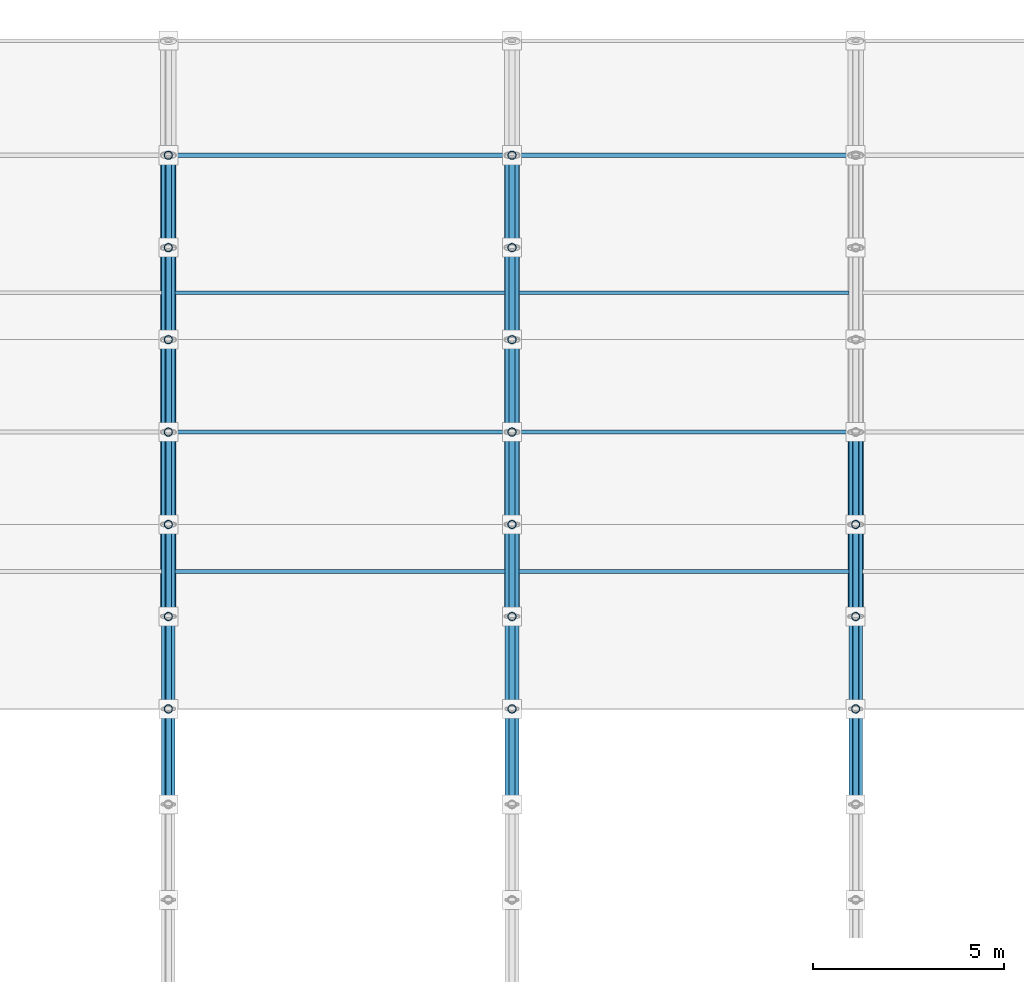
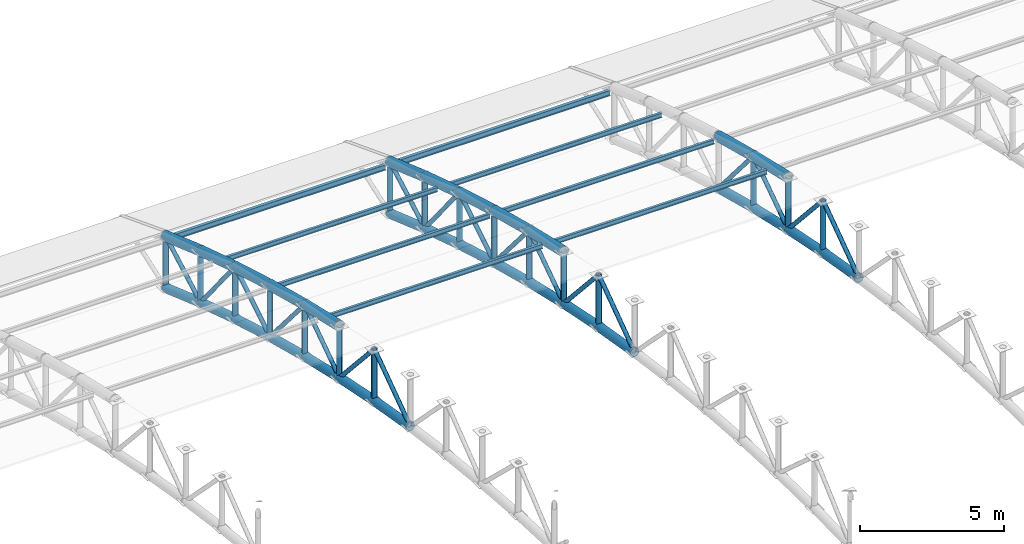
# One storey, part 82 of 195: 73 members.
"""IFC4 building model written with IfcOpenShell, lengths in metres."""

from ifc_helpers import new_model, si_unit, direction, frame, origin, origin_2d, place, context, subcontext, project, spatial, hollow_circle, i_section, extrude, material, material_profile, profile_set, type_object, element, save


model = new_model("IFC4")

# Units and contexts
model_context = context("Model", 3, precision=1e-05, world=origin(), true_north=direction((0.0, 1.0)))
body_context = subcontext(model_context, "Body", "Model", "MODEL_VIEW")
ifc_project = project(units=[si_unit("LENGTHUNIT", "METRE"), si_unit("AREAUNIT", "SQUARE_METRE"), si_unit("VOLUMEUNIT", "CUBIC_METRE"), si_unit("PLANEANGLEUNIT", "RADIAN"), si_unit("MASSUNIT", "GRAM", prefix="KILO")], contexts=[model_context])

# Site, building, storey
site_placement = place(None, origin())
site = spatial("IfcSite", under=ifc_project, at=site_placement, CompositionType="ELEMENT")
building_placement = place(site_placement, origin())
building = spatial("IfcBuilding", under=site, at=building_placement, Name="Marlcrest Central Station", CompositionType="ELEMENT")
storey_placement = place(building_placement, frame((0.0, 0.0, 9.800048828125)))
storey = spatial("IfcBuildingStorey", under=building, at=storey_placement, Name="L02", CompositionType="ELEMENT", Elevation=9.800048828125)

# Members
ifc_material = material(Name="Steel S355", Category="steel")
ifc_material_profile_1 = material_profile(ifc_material, hollow_circle(Radius=0.203125, WallThickness=0.02001953125, at=origin_2d()), Name="CHS 406.4x20")
ifc_profile_set_1 = profile_set([ifc_material_profile_1], Name="Steel S355")
member_type_1 = type_object("IfcMemberType", Name="AC-01", PredefinedType="CHORD", material=ifc_profile_set_1)
member_1_placement = place(storey_placement, frame((162.0, 83.419921875, 5.116943359375), z_axis=(0.0, 0.974329612642, -0.225126200004), x_axis=(-1.0, 0.0, 0.0)))
element("IfcMember", 1, at=member_1_placement, inside=storey, type_object=member_type_1, Name="mem-AC-01-L02-01400", PredefinedType="CHORD", context=body_context, shape_type="SweptSolid", body=[
    extrude(hollow_circle(Radius=0.203125, WallThickness=0.02001953125, at=origin_2d()), origin(), (0.0, 0.0, 1.0), 2.4736328125),
])
member_2_placement = place(storey_placement, frame((162.0, 85.830078125, 4.56005859375), z_axis=(0.0, 0.967539481681, -0.252719906989), x_axis=(-1.0, 0.0, 0.0)))
element("IfcMember", 2, at=member_2_placement, inside=storey, type_object=member_type_1, Name="mem-AC-01-L02-01404", PredefinedType="CHORD", context=body_context, shape_type="SweptSolid", body=[
    extrude(hollow_circle(Radius=0.203125, WallThickness=0.02001953125, at=origin_2d()), origin(), (0.0, 0.0, 1.0), 2.501220703125),
])
member_3_placement = place(storey_placement, frame((162.0, 88.25, 3.927978515625), z_axis=(0.0, 0.960130083362, -0.27955361386), x_axis=(-1.0, 0.0, 0.0)))
element("IfcMember", 3, at=member_3_placement, inside=storey, type_object=member_type_1, Name="mem-AC-01-L02-01408", PredefinedType="CHORD", context=body_context, shape_type="SweptSolid", body=[
    extrude(hollow_circle(Radius=0.203125, WallThickness=0.02001953125, at=origin_2d()), origin(), (0.0, 0.0, 1.0), 2.5205078125),
])
member_4_placement = place(storey_placement, frame((162.0, 90.669921875, 3.223388671875), z_axis=(0.0, 0.952116828449, -0.305734435391), x_axis=(-1.0, 0.0, 0.0)))
element("IfcMember", 4, at=member_4_placement, inside=storey, type_object=member_type_1, Name="mem-AC-01-L02-01412", PredefinedType="CHORD", context=body_context, shape_type="SweptSolid", body=[
    extrude(hollow_circle(Radius=0.203125, WallThickness=0.02001953125, at=origin_2d()), origin(), (0.0, 0.0, 1.0), 2.53125),
])
member_5_placement = place(storey_placement, frame((162.0, 93.080078125, 2.449462890625), z_axis=(0.0, 0.94353735649, -0.331266142109), x_axis=(-1.0, 0.0, 0.0)))
element("IfcMember", 5, at=member_5_placement, inside=storey, type_object=member_type_1, Name="mem-AC-01-L02-01416", PredefinedType="CHORD", context=body_context, shape_type="SweptSolid", body=[
    extrude(hollow_circle(Radius=0.203125, WallThickness=0.02001953125, at=origin_2d()), origin(), (0.0, 0.0, 1.0), 2.564697265625),
])
member_6_placement = place(storey_placement, frame((171.0, 83.419921875, 5.116943359375), z_axis=(0.0, 0.974329612642, -0.225126200004), x_axis=(-1.0, 0.0, 0.0)))
element("IfcMember", 6, at=member_6_placement, inside=storey, type_object=member_type_1, Name="mem-AC-01-L02-01516", PredefinedType="CHORD", context=body_context, shape_type="SweptSolid", body=[
    extrude(hollow_circle(Radius=0.203125, WallThickness=0.02001953125, at=origin_2d()), origin(), (0.0, 0.0, 1.0), 2.4736328125),
])
member_7_placement = place(storey_placement, frame((171.0, 85.830078125, 4.56005859375), z_axis=(0.0, 0.967539481681, -0.252719906989), x_axis=(-1.0, 0.0, 0.0)))
element("IfcMember", 7, at=member_7_placement, inside=storey, type_object=member_type_1, Name="mem-AC-01-L02-01520", PredefinedType="CHORD", context=body_context, shape_type="SweptSolid", body=[
    extrude(hollow_circle(Radius=0.203125, WallThickness=0.02001953125, at=origin_2d()), origin(), (0.0, 0.0, 1.0), 2.501220703125),
])
member_8_placement = place(storey_placement, frame((171.0, 88.25, 3.927978515625), z_axis=(0.0, 0.960130083362, -0.27955361386), x_axis=(-1.0, 0.0, 0.0)))
element("IfcMember", 8, at=member_8_placement, inside=storey, type_object=member_type_1, Name="mem-AC-01-L02-01524", PredefinedType="CHORD", context=body_context, shape_type="SweptSolid", body=[
    extrude(hollow_circle(Radius=0.203125, WallThickness=0.02001953125, at=origin_2d()), origin(), (0.0, 0.0, 1.0), 2.5205078125),
])
member_9_placement = place(storey_placement, frame((171.0, 90.669921875, 3.223388671875), z_axis=(0.0, 0.952116828449, -0.305734435391), x_axis=(-1.0, 0.0, 0.0)))
element("IfcMember", 9, at=member_9_placement, inside=storey, type_object=member_type_1, Name="mem-AC-01-L02-01528", PredefinedType="CHORD", context=body_context, shape_type="SweptSolid", body=[
    extrude(hollow_circle(Radius=0.203125, WallThickness=0.02001953125, at=origin_2d()), origin(), (0.0, 0.0, 1.0), 2.53125),
])
member_10_placement = place(storey_placement, frame((171.0, 93.080078125, 2.449462890625), z_axis=(0.0, 0.94353735649, -0.331266142109), x_axis=(-1.0, 0.0, 0.0)))
element("IfcMember", 10, at=member_10_placement, inside=storey, type_object=member_type_1, Name="mem-AC-01-L02-01532", PredefinedType="CHORD", context=body_context, shape_type="SweptSolid", body=[
    extrude(hollow_circle(Radius=0.203125, WallThickness=0.02001953125, at=origin_2d()), origin(), (0.0, 0.0, 1.0), 2.564697265625),
])
member_11_placement = place(storey_placement, frame((180.0, 83.419921875, 5.116943359375), z_axis=(0.0, 0.974329612642, -0.225126200004), x_axis=(-1.0, 0.0, 0.0)))
element("IfcMember", 11, at=member_11_placement, inside=storey, type_object=member_type_1, Name="mem-AC-01-L02-01632", PredefinedType="CHORD", context=body_context, shape_type="SweptSolid", body=[
    extrude(hollow_circle(Radius=0.203125, WallThickness=0.02001953125, at=origin_2d()), origin(), (0.0, 0.0, 1.0), 2.4736328125),
])
member_12_placement = place(storey_placement, frame((180.0, 85.830078125, 4.56005859375), z_axis=(0.0, 0.967539481681, -0.252719906989), x_axis=(-1.0, 0.0, 0.0)))
element("IfcMember", 12, at=member_12_placement, inside=storey, type_object=member_type_1, Name="mem-AC-01-L02-01636", PredefinedType="CHORD", context=body_context, shape_type="SweptSolid", body=[
    extrude(hollow_circle(Radius=0.203125, WallThickness=0.02001953125, at=origin_2d()), origin(), (0.0, 0.0, 1.0), 2.501220703125),
])
ifc_material_profile_2 = material_profile(ifc_material, hollow_circle(Radius=0.177734375, WallThickness=0.01611328125, at=origin_2d()), Name="CHS 355.6x16")
ifc_profile_set_2 = profile_set([ifc_material_profile_2], Name="Steel S355")
member_type_2 = type_object("IfcMemberType", Name="AC-02", PredefinedType="CHORD", material=ifc_profile_set_2)
member_13_placement = place(storey_placement, frame((162.0, 78.5, 3.83056640625), z_axis=(0.0, 0.98574109921, -0.168269086076), x_axis=(-1.0, 0.0, 0.0)))
element("IfcMember", 13, at=member_13_placement, inside=storey, type_object=member_type_2, Name="mem-AC-02-L02-01393", PredefinedType="CHORD", context=body_context, shape_type="SweptSolid", body=[
    extrude(hollow_circle(Radius=0.177734375, WallThickness=0.01611328125, at=origin_2d()), origin(), (0.0, 0.0, 1.0), 2.5361328125),
])
member_14_placement = place(storey_placement, frame((162.0, 81.0, 3.40380859375), z_axis=(0.0, 0.980359417961, -0.197219196874), x_axis=(-1.0, 0.0, 0.0)))
element("IfcMember", 14, at=member_14_placement, inside=storey, type_object=member_type_2, Name="mem-AC-02-L02-01397", PredefinedType="CHORD", context=body_context, shape_type="SweptSolid", body=[
    extrude(hollow_circle(Radius=0.177734375, WallThickness=0.01611328125, at=origin_2d()), origin(), (0.0, 0.0, 1.0), 2.468505859375),
])
member_15_placement = place(storey_placement, frame((162.0, 83.419921875, 2.9169921875), z_axis=(0.0, 0.974307959875, -0.225219891049), x_axis=(-1.0, 0.0, 0.0)))
element("IfcMember", 15, at=member_15_placement, inside=storey, type_object=member_type_2, Name="mem-AC-02-L02-01401", PredefinedType="CHORD", context=body_context, shape_type="SweptSolid", body=[
    extrude(hollow_circle(Radius=0.177734375, WallThickness=0.01611328125, at=origin_2d()), origin(), (0.0, 0.0, 1.0), 2.4736328125),
])
member_16_placement = place(storey_placement, frame((162.0, 85.830078125, 2.35986328125), z_axis=(0.0, 0.967563345928, -0.252628524946), x_axis=(-1.0, 0.0, 0.0)))
element("IfcMember", 16, at=member_16_placement, inside=storey, type_object=member_type_2, Name="mem-AC-02-L02-01405", PredefinedType="CHORD", context=body_context, shape_type="SweptSolid", body=[
    extrude(hollow_circle(Radius=0.177734375, WallThickness=0.01611328125, at=origin_2d()), origin(), (0.0, 0.0, 1.0), 2.5009765625),
])
member_17_placement = place(storey_placement, frame((162.0, 88.25, 1.72802734375), z_axis=(0.0, 0.960130083362, -0.27955361386), x_axis=(-1.0, 0.0, 0.0)))
element("IfcMember", 17, at=member_17_placement, inside=storey, type_object=member_type_2, Name="mem-AC-02-L02-01409", PredefinedType="CHORD", context=body_context, shape_type="SweptSolid", body=[
    extrude(hollow_circle(Radius=0.177734375, WallThickness=0.01611328125, at=origin_2d()), origin(), (0.0, 0.0, 1.0), 2.5205078125),
])
member_18_placement = place(storey_placement, frame((162.0, 90.669921875, 1.0234375), z_axis=(0.0, 0.952116828449, -0.305734435391), x_axis=(-1.0, 0.0, 0.0)))
element("IfcMember", 18, at=member_18_placement, inside=storey, type_object=member_type_2, Name="mem-AC-02-L02-01413", PredefinedType="CHORD", context=body_context, shape_type="SweptSolid", body=[
    extrude(hollow_circle(Radius=0.177734375, WallThickness=0.01611328125, at=origin_2d()), origin(), (0.0, 0.0, 1.0), 2.53125),
])
member_19_placement = place(storey_placement, frame((162.0, 93.080078125, 0.24951171875), z_axis=(0.0, 0.94353735649, -0.331266142109), x_axis=(-1.0, 0.0, 0.0)))
element("IfcMember", 19, at=member_19_placement, inside=storey, type_object=member_type_2, Name="mem-AC-02-L02-01417", PredefinedType="CHORD", context=body_context, shape_type="SweptSolid", body=[
    extrude(hollow_circle(Radius=0.177734375, WallThickness=0.01611328125, at=origin_2d()), origin(), (0.0, 0.0, 1.0), 2.564697265625),
])
member_20_placement = place(storey_placement, frame((171.0, 78.5, 3.83056640625), z_axis=(0.0, 0.98574109921, -0.168269086076), x_axis=(-1.0, 0.0, 0.0)))
element("IfcMember", 20, at=member_20_placement, inside=storey, type_object=member_type_2, Name="mem-AC-02-L02-01509", PredefinedType="CHORD", context=body_context, shape_type="SweptSolid", body=[
    extrude(hollow_circle(Radius=0.177734375, WallThickness=0.01611328125, at=origin_2d()), origin(), (0.0, 0.0, 1.0), 2.5361328125),
])
member_21_placement = place(storey_placement, frame((171.0, 81.0, 3.40380859375), z_axis=(0.0, 0.980359417961, -0.197219196874), x_axis=(-1.0, 0.0, 0.0)))
element("IfcMember", 21, at=member_21_placement, inside=storey, type_object=member_type_2, Name="mem-AC-02-L02-01513", PredefinedType="CHORD", context=body_context, shape_type="SweptSolid", body=[
    extrude(hollow_circle(Radius=0.177734375, WallThickness=0.01611328125, at=origin_2d()), origin(), (0.0, 0.0, 1.0), 2.468505859375),
])
member_22_placement = place(storey_placement, frame((171.0, 83.419921875, 2.9169921875), z_axis=(0.0, 0.974307959875, -0.225219891049), x_axis=(-1.0, 0.0, 0.0)))
element("IfcMember", 22, at=member_22_placement, inside=storey, type_object=member_type_2, Name="mem-AC-02-L02-01517", PredefinedType="CHORD", context=body_context, shape_type="SweptSolid", body=[
    extrude(hollow_circle(Radius=0.177734375, WallThickness=0.01611328125, at=origin_2d()), origin(), (0.0, 0.0, 1.0), 2.4736328125),
])
member_23_placement = place(storey_placement, frame((171.0, 85.830078125, 2.35986328125), z_axis=(0.0, 0.967563345928, -0.252628524946), x_axis=(-1.0, 0.0, 0.0)))
element("IfcMember", 23, at=member_23_placement, inside=storey, type_object=member_type_2, Name="mem-AC-02-L02-01521", PredefinedType="CHORD", context=body_context, shape_type="SweptSolid", body=[
    extrude(hollow_circle(Radius=0.177734375, WallThickness=0.01611328125, at=origin_2d()), origin(), (0.0, 0.0, 1.0), 2.5009765625),
])
member_24_placement = place(storey_placement, frame((171.0, 88.25, 1.72802734375), z_axis=(0.0, 0.960130083362, -0.27955361386), x_axis=(-1.0, 0.0, 0.0)))
element("IfcMember", 24, at=member_24_placement, inside=storey, type_object=member_type_2, Name="mem-AC-02-L02-01525", PredefinedType="CHORD", context=body_context, shape_type="SweptSolid", body=[
    extrude(hollow_circle(Radius=0.177734375, WallThickness=0.01611328125, at=origin_2d()), origin(), (0.0, 0.0, 1.0), 2.5205078125),
])
member_25_placement = place(storey_placement, frame((171.0, 90.669921875, 1.0234375), z_axis=(0.0, 0.952116828449, -0.305734435391), x_axis=(-1.0, 0.0, 0.0)))
element("IfcMember", 25, at=member_25_placement, inside=storey, type_object=member_type_2, Name="mem-AC-02-L02-01529", PredefinedType="CHORD", context=body_context, shape_type="SweptSolid", body=[
    extrude(hollow_circle(Radius=0.177734375, WallThickness=0.01611328125, at=origin_2d()), origin(), (0.0, 0.0, 1.0), 2.53125),
])
member_26_placement = place(storey_placement, frame((171.0, 93.080078125, 0.24951171875), z_axis=(0.0, 0.94353735649, -0.331266142109), x_axis=(-1.0, 0.0, 0.0)))
element("IfcMember", 26, at=member_26_placement, inside=storey, type_object=member_type_2, Name="mem-AC-02-L02-01533", PredefinedType="CHORD", context=body_context, shape_type="SweptSolid", body=[
    extrude(hollow_circle(Radius=0.177734375, WallThickness=0.01611328125, at=origin_2d()), origin(), (0.0, 0.0, 1.0), 2.564697265625),
])
member_27_placement = place(storey_placement, frame((180.0, 78.5, 3.83056640625), z_axis=(0.0, 0.98574109921, -0.168269086076), x_axis=(-1.0, 0.0, 0.0)))
element("IfcMember", 27, at=member_27_placement, inside=storey, type_object=member_type_2, Name="mem-AC-02-L02-01625", PredefinedType="CHORD", context=body_context, shape_type="SweptSolid", body=[
    extrude(hollow_circle(Radius=0.177734375, WallThickness=0.01611328125, at=origin_2d()), origin(), (0.0, 0.0, 1.0), 2.5361328125),
])
member_28_placement = place(storey_placement, frame((180.0, 81.0, 3.40380859375), z_axis=(0.0, 0.980359417961, -0.197219196874), x_axis=(-1.0, 0.0, 0.0)))
element("IfcMember", 28, at=member_28_placement, inside=storey, type_object=member_type_2, Name="mem-AC-02-L02-01629", PredefinedType="CHORD", context=body_context, shape_type="SweptSolid", body=[
    extrude(hollow_circle(Radius=0.177734375, WallThickness=0.01611328125, at=origin_2d()), origin(), (0.0, 0.0, 1.0), 2.468505859375),
])
member_29_placement = place(storey_placement, frame((180.0, 83.419921875, 2.9169921875), z_axis=(0.0, 0.974307959875, -0.225219891049), x_axis=(-1.0, 0.0, 0.0)))
element("IfcMember", 29, at=member_29_placement, inside=storey, type_object=member_type_2, Name="mem-AC-02-L02-01633", PredefinedType="CHORD", context=body_context, shape_type="SweptSolid", body=[
    extrude(hollow_circle(Radius=0.177734375, WallThickness=0.01611328125, at=origin_2d()), origin(), (0.0, 0.0, 1.0), 2.4736328125),
])
member_30_placement = place(storey_placement, frame((180.0, 85.830078125, 2.35986328125), z_axis=(0.0, 0.967563345928, -0.252628524946), x_axis=(-1.0, 0.0, 0.0)))
element("IfcMember", 30, at=member_30_placement, inside=storey, type_object=member_type_2, Name="mem-AC-02-L02-01637", PredefinedType="CHORD", context=body_context, shape_type="SweptSolid", body=[
    extrude(hollow_circle(Radius=0.177734375, WallThickness=0.01611328125, at=origin_2d()), origin(), (0.0, 0.0, 1.0), 2.5009765625),
])
ifc_material_profile_3 = material_profile(ifc_material, hollow_circle(Radius=0.084228515625, WallThickness=0.010009765625, at=origin_2d()), Name="CHS 168.3x10")
ifc_profile_set_3 = profile_set([ifc_material_profile_3], Name="Steel S355")
member_type_3 = type_object("IfcMemberType", Name="AD-01", PredefinedType="BRACE", material=ifc_profile_set_3)
member_31_placement = place(storey_placement, frame((162.0, 78.5, 3.83056640625), z_axis=(0.0, 0.815661132754, 0.57852996164), x_axis=(-1.0, 0.0, 0.0)))
element("IfcMember", 31, at=member_31_placement, inside=storey, type_object=member_type_3, Name="mem-AD-01-L02-01395", PredefinedType="BRACE", context=body_context, shape_type="SweptSolid", body=[
    extrude(hollow_circle(Radius=0.084228515625, WallThickness=0.010009765625, at=origin_2d()), origin(), (0.0, 0.0, 1.0), 3.06494140625),
])
member_32_placement = place(storey_placement, frame((162.0, 81.0, 5.603759765625), z_axis=(0.0, 0.669244457479, -0.743042297675), x_axis=(-1.0, 0.0, 0.0)))
element("IfcMember", 32, at=member_32_placement, inside=storey, type_object=member_type_3, Name="mem-AD-01-L02-01399", PredefinedType="BRACE", context=body_context, shape_type="SweptSolid", body=[
    extrude(hollow_circle(Radius=0.084228515625, WallThickness=0.010009765625, at=origin_2d()), origin(), (0.0, 0.0, 1.0), 3.615966796875),
])
member_33_placement = place(storey_placement, frame((162.0, 83.419921875, 2.9169921875), z_axis=(0.0, 0.82626275624, 0.563284881432), x_axis=(-1.0, 0.0, 0.0)))
element("IfcMember", 33, at=member_33_placement, inside=storey, type_object=member_type_3, Name="mem-AD-01-L02-01403", PredefinedType="BRACE", context=body_context, shape_type="SweptSolid", body=[
    extrude(hollow_circle(Radius=0.084228515625, WallThickness=0.010009765625, at=origin_2d()), origin(), (0.0, 0.0, 1.0), 2.9169921875),
])
member_34_placement = place(storey_placement, frame((162.0, 85.830078125, 4.56005859375), z_axis=(0.0, 0.649624779144, -0.760254987699), x_axis=(-1.0, 0.0, 0.0)))
element("IfcMember", 34, at=member_34_placement, inside=storey, type_object=member_type_3, Name="mem-AD-01-L02-01407", PredefinedType="BRACE", context=body_context, shape_type="SweptSolid", body=[
    extrude(hollow_circle(Radius=0.084228515625, WallThickness=0.010009765625, at=origin_2d()), origin(), (0.0, 0.0, 1.0), 3.72509765625),
])
member_35_placement = place(storey_placement, frame((162.0, 88.25, 1.72802734375), z_axis=(0.0, 0.850687380038, 0.525671933286), x_axis=(-1.0, 0.0, 0.0)))
element("IfcMember", 35, at=member_35_placement, inside=storey, type_object=member_type_3, Name="mem-AD-01-L02-01411", PredefinedType="BRACE", context=body_context, shape_type="SweptSolid", body=[
    extrude(hollow_circle(Radius=0.084228515625, WallThickness=0.010009765625, at=origin_2d()), origin(), (0.0, 0.0, 1.0), 2.8447265625),
])
member_36_placement = place(storey_placement, frame((162.0, 90.669921875, 3.223388671875), z_axis=(0.0, 0.62962929743, -0.776895712318), x_axis=(-1.0, 0.0, 0.0)))
element("IfcMember", 36, at=member_36_placement, inside=storey, type_object=member_type_3, Name="mem-AD-01-L02-01415", PredefinedType="BRACE", context=body_context, shape_type="SweptSolid", body=[
    extrude(hollow_circle(Radius=0.084228515625, WallThickness=0.010009765625, at=origin_2d()), origin(), (0.0, 0.0, 1.0), 3.827880859375),
])
member_37_placement = place(storey_placement, frame((162.0, 93.080078125, 0.24951171875), z_axis=(0.0, 0.873245653167, 0.487280236851), x_axis=(-1.0, 0.0, 0.0)))
element("IfcMember", 37, at=member_37_placement, inside=storey, type_object=member_type_3, Name="mem-AD-01-L02-01419", PredefinedType="BRACE", context=body_context, shape_type="SweptSolid", body=[
    extrude(hollow_circle(Radius=0.084228515625, WallThickness=0.010009765625, at=origin_2d()), origin(), (0.0, 0.0, 1.0), 2.771240234375),
])
member_38_placement = place(storey_placement, frame((171.0, 78.5, 3.83056640625), z_axis=(0.0, 0.815661132754, 0.57852996164), x_axis=(-1.0, 0.0, 0.0)))
element("IfcMember", 38, at=member_38_placement, inside=storey, type_object=member_type_3, Name="mem-AD-01-L02-01511", PredefinedType="BRACE", context=body_context, shape_type="SweptSolid", body=[
    extrude(hollow_circle(Radius=0.084228515625, WallThickness=0.010009765625, at=origin_2d()), origin(), (0.0, 0.0, 1.0), 3.06494140625),
])
member_39_placement = place(storey_placement, frame((171.0, 81.0, 5.603759765625), z_axis=(0.0, 0.669244457479, -0.743042297675), x_axis=(-1.0, 0.0, 0.0)))
element("IfcMember", 39, at=member_39_placement, inside=storey, type_object=member_type_3, Name="mem-AD-01-L02-01515", PredefinedType="BRACE", context=body_context, shape_type="SweptSolid", body=[
    extrude(hollow_circle(Radius=0.084228515625, WallThickness=0.010009765625, at=origin_2d()), origin(), (0.0, 0.0, 1.0), 3.615966796875),
])
member_40_placement = place(storey_placement, frame((171.0, 83.419921875, 2.9169921875), z_axis=(0.0, 0.82626275624, 0.563284881432), x_axis=(-1.0, 0.0, 0.0)))
element("IfcMember", 40, at=member_40_placement, inside=storey, type_object=member_type_3, Name="mem-AD-01-L02-01519", PredefinedType="BRACE", context=body_context, shape_type="SweptSolid", body=[
    extrude(hollow_circle(Radius=0.084228515625, WallThickness=0.010009765625, at=origin_2d()), origin(), (0.0, 0.0, 1.0), 2.9169921875),
])
member_41_placement = place(storey_placement, frame((171.0, 85.830078125, 4.56005859375), z_axis=(0.0, 0.649624779144, -0.760254987699), x_axis=(-1.0, 0.0, 0.0)))
element("IfcMember", 41, at=member_41_placement, inside=storey, type_object=member_type_3, Name="mem-AD-01-L02-01523", PredefinedType="BRACE", context=body_context, shape_type="SweptSolid", body=[
    extrude(hollow_circle(Radius=0.084228515625, WallThickness=0.010009765625, at=origin_2d()), origin(), (0.0, 0.0, 1.0), 3.72509765625),
])
member_42_placement = place(storey_placement, frame((171.0, 88.25, 1.72802734375), z_axis=(0.0, 0.850687380038, 0.525671933286), x_axis=(-1.0, 0.0, 0.0)))
element("IfcMember", 42, at=member_42_placement, inside=storey, type_object=member_type_3, Name="mem-AD-01-L02-01527", PredefinedType="BRACE", context=body_context, shape_type="SweptSolid", body=[
    extrude(hollow_circle(Radius=0.084228515625, WallThickness=0.010009765625, at=origin_2d()), origin(), (0.0, 0.0, 1.0), 2.8447265625),
])
member_43_placement = place(storey_placement, frame((171.0, 90.669921875, 3.223388671875), z_axis=(0.0, 0.62962929743, -0.776895712318), x_axis=(-1.0, 0.0, 0.0)))
element("IfcMember", 43, at=member_43_placement, inside=storey, type_object=member_type_3, Name="mem-AD-01-L02-01531", PredefinedType="BRACE", context=body_context, shape_type="SweptSolid", body=[
    extrude(hollow_circle(Radius=0.084228515625, WallThickness=0.010009765625, at=origin_2d()), origin(), (0.0, 0.0, 1.0), 3.827880859375),
])
member_44_placement = place(storey_placement, frame((171.0, 93.080078125, 0.24951171875), z_axis=(0.0, 0.873245653167, 0.487280236851), x_axis=(-1.0, 0.0, 0.0)))
element("IfcMember", 44, at=member_44_placement, inside=storey, type_object=member_type_3, Name="mem-AD-01-L02-01535", PredefinedType="BRACE", context=body_context, shape_type="SweptSolid", body=[
    extrude(hollow_circle(Radius=0.084228515625, WallThickness=0.010009765625, at=origin_2d()), origin(), (0.0, 0.0, 1.0), 2.771240234375),
])
member_45_placement = place(storey_placement, frame((180.0, 78.5, 3.83056640625), z_axis=(0.0, 0.815661132754, 0.57852996164), x_axis=(-1.0, 0.0, 0.0)))
element("IfcMember", 45, at=member_45_placement, inside=storey, type_object=member_type_3, Name="mem-AD-01-L02-01627", PredefinedType="BRACE", context=body_context, shape_type="SweptSolid", body=[
    extrude(hollow_circle(Radius=0.084228515625, WallThickness=0.010009765625, at=origin_2d()), origin(), (0.0, 0.0, 1.0), 3.06494140625),
])
member_46_placement = place(storey_placement, frame((180.0, 81.0, 5.603759765625), z_axis=(0.0, 0.669244457479, -0.743042297675), x_axis=(-1.0, 0.0, 0.0)))
element("IfcMember", 46, at=member_46_placement, inside=storey, type_object=member_type_3, Name="mem-AD-01-L02-01631", PredefinedType="BRACE", context=body_context, shape_type="SweptSolid", body=[
    extrude(hollow_circle(Radius=0.084228515625, WallThickness=0.010009765625, at=origin_2d()), origin(), (0.0, 0.0, 1.0), 3.615966796875),
])
member_47_placement = place(storey_placement, frame((180.0, 83.419921875, 2.9169921875), z_axis=(0.0, 0.82626275624, 0.563284881432), x_axis=(-1.0, 0.0, 0.0)))
element("IfcMember", 47, at=member_47_placement, inside=storey, type_object=member_type_3, Name="mem-AD-01-L02-01635", PredefinedType="BRACE", context=body_context, shape_type="SweptSolid", body=[
    extrude(hollow_circle(Radius=0.084228515625, WallThickness=0.010009765625, at=origin_2d()), origin(), (0.0, 0.0, 1.0), 2.9169921875),
])
member_48_placement = place(storey_placement, frame((180.0, 85.830078125, 4.56005859375), z_axis=(0.0, 0.649624779144, -0.760254987699), x_axis=(-1.0, 0.0, 0.0)))
element("IfcMember", 48, at=member_48_placement, inside=storey, type_object=member_type_3, Name="mem-AD-01-L02-01639", PredefinedType="BRACE", context=body_context, shape_type="SweptSolid", body=[
    extrude(hollow_circle(Radius=0.084228515625, WallThickness=0.010009765625, at=origin_2d()), origin(), (0.0, 0.0, 1.0), 3.72509765625),
])
ifc_material_profile_4 = material_profile(ifc_material, hollow_circle(Radius=0.109619140625, WallThickness=0.012451171875, at=origin_2d()), Name="CHS 219.1x12.5")
ifc_profile_set_4 = profile_set([ifc_material_profile_4], Name="Steel S355")
member_type_4 = type_object("IfcMemberType", Name="AP-01", PredefinedType="POST", material=ifc_profile_set_4)
for number, where, z_axis, x_axis, name in (
    (49, (162.0, 81.0, 3.40380859375), (0.0, 0.0, 1.0), (1.0, 0.0, 0.0), "mem-AP-01-L02-01398"),
    (50, (162.0, 83.419921875, 2.9169921875), (0.0, 0.0, 1.0), (1.0, 0.0, 0.0), "mem-AP-01-L02-01402"),
):
    element("IfcMember", number, at=place(storey_placement, frame(where, z_axis=z_axis, x_axis=x_axis)), inside=storey, type_object=member_type_4, Name=name, PredefinedType="POST", context=body_context, shape_type="SweptSolid", body=[
        extrude(hollow_circle(Radius=0.109619140625, WallThickness=0.012451171875, at=origin_2d()), origin(), (0.0, 0.0, 1.0), 2.199951171875),
    ])
member_49_placement = place(storey_placement, frame((162.0, 85.830078125, 2.35986328125), z_axis=(0.0, 0.0, 1.0), x_axis=(1.0, 0.0, 0.0)))
element("IfcMember", 51, at=member_49_placement, inside=storey, type_object=member_type_4, Name="mem-AP-01-L02-01406", PredefinedType="POST", context=body_context, shape_type="SweptSolid", body=[
    extrude(hollow_circle(Radius=0.109619140625, WallThickness=0.012451171875, at=origin_2d()), origin(), (0.0, 0.0, 1.0), 2.2001953125),
])
for number, where, z_axis, x_axis, name in (
    (52, (162.0, 88.25, 1.72802734375), (0.0, 0.0, 1.0), (1.0, 0.0, 0.0), "mem-AP-01-L02-01410"),
    (53, (162.0, 90.669921875, 1.0234375), (0.0, 0.0, 1.0), (1.0, 0.0, 0.0), "mem-AP-01-L02-01414"),
    (54, (162.0, 93.080078125, 0.24951171875), (0.0, 0.0, 1.0), (1.0, 0.0, 0.0), "mem-AP-01-L02-01418"),
    (55, (162.0, 95.5, -0.60009765625), (0.0, 0.0, 1.0), (1.0, 0.0, 0.0), "mem-AP-01-L02-01421"),
    (56, (171.0, 81.0, 3.40380859375), (0.0, 0.0, 1.0), (1.0, 0.0, 0.0), "mem-AP-01-L02-01514"),
    (57, (171.0, 83.419921875, 2.9169921875), (0.0, 0.0, 1.0), (1.0, 0.0, 0.0), "mem-AP-01-L02-01518"),
):
    element("IfcMember", number, at=place(storey_placement, frame(where, z_axis=z_axis, x_axis=x_axis)), inside=storey, type_object=member_type_4, Name=name, PredefinedType="POST", context=body_context, shape_type="SweptSolid", body=[
        extrude(hollow_circle(Radius=0.109619140625, WallThickness=0.012451171875, at=origin_2d()), origin(), (0.0, 0.0, 1.0), 2.199951171875),
    ])
member_50_placement = place(storey_placement, frame((171.0, 85.830078125, 2.35986328125), z_axis=(0.0, 0.0, 1.0), x_axis=(1.0, 0.0, 0.0)))
element("IfcMember", 58, at=member_50_placement, inside=storey, type_object=member_type_4, Name="mem-AP-01-L02-01522", PredefinedType="POST", context=body_context, shape_type="SweptSolid", body=[
    extrude(hollow_circle(Radius=0.109619140625, WallThickness=0.012451171875, at=origin_2d()), origin(), (0.0, 0.0, 1.0), 2.2001953125),
])
for number, where, z_axis, x_axis, name in (
    (59, (171.0, 88.25, 1.72802734375), (0.0, 0.0, 1.0), (1.0, 0.0, 0.0), "mem-AP-01-L02-01526"),
    (60, (171.0, 90.669921875, 1.0234375), (0.0, 0.0, 1.0), (1.0, 0.0, 0.0), "mem-AP-01-L02-01530"),
    (61, (171.0, 93.080078125, 0.24951171875), (0.0, 0.0, 1.0), (1.0, 0.0, 0.0), "mem-AP-01-L02-01534"),
    (62, (171.0, 95.5, -0.60009765625), (0.0, 0.0, 1.0), (1.0, 0.0, 0.0), "mem-AP-01-L02-01537"),
    (63, (180.0, 81.0, 3.40380859375), (0.0, 0.0, 1.0), (1.0, 0.0, 0.0), "mem-AP-01-L02-01630"),
    (64, (180.0, 83.419921875, 2.9169921875), (0.0, 0.0, 1.0), (1.0, 0.0, 0.0), "mem-AP-01-L02-01634"),
):
    element("IfcMember", number, at=place(storey_placement, frame(where, z_axis=z_axis, x_axis=x_axis)), inside=storey, type_object=member_type_4, Name=name, PredefinedType="POST", context=body_context, shape_type="SweptSolid", body=[
        extrude(hollow_circle(Radius=0.109619140625, WallThickness=0.012451171875, at=origin_2d()), origin(), (0.0, 0.0, 1.0), 2.199951171875),
    ])
member_51_placement = place(storey_placement, frame((180.0, 85.830078125, 2.35986328125), z_axis=(0.0, 0.0, 1.0), x_axis=(1.0, 0.0, 0.0)))
element("IfcMember", 65, at=member_51_placement, inside=storey, type_object=member_type_4, Name="mem-AP-01-L02-01638", PredefinedType="POST", context=body_context, shape_type="SweptSolid", body=[
    extrude(hollow_circle(Radius=0.109619140625, WallThickness=0.012451171875, at=origin_2d()), origin(), (0.0, 0.0, 1.0), 2.2001953125),
])
ifc_material_profile_5 = material_profile(ifc_material, i_section(OverallWidth=0.10009765625, OverallDepth=0.199951171875, WebThickness=0.005615234375, FlangeThickness=0.008544921875, FilletRadius=0.011962890625, at=origin_2d()), Name="IPE 200")
ifc_profile_set_5 = profile_set([ifc_material_profile_5], Name="Steel S355")
member_type_5 = type_object("IfcMemberType", Name="PR-01", PredefinedType="PURLIN", material=ifc_profile_set_5)
for number, where, z_axis, x_axis, name in (
    (66, (162.179931640625, 84.60009765625, 4.713134765625), (1.0, 0.0, 0.0), (0.0, 1.0, 0.0), "mem-PR-01-L02-01433"),
    (67, (162.179931640625, 88.25, 3.7880859375), (1.0, 0.0, 0.0), (0.0, 1.0, 0.0), "mem-PR-01-L02-01434"),
    (68, (162.179931640625, 91.89990234375, 2.697509765625), (1.0, 0.0, 0.0), (0.0, 1.0, 0.0), "mem-PR-01-L02-01435"),
    (69, (171.179931640625, 84.60009765625, 4.713134765625), (1.0, 0.0, 0.0), (0.0, 1.0, 0.0), "mem-PR-01-L02-01549"),
    (70, (171.179931640625, 88.25, 3.7880859375), (1.0, 0.0, 0.0), (0.0, 1.0, 0.0), "mem-PR-01-L02-01550"),
    (71, (171.179931640625, 91.89990234375, 2.697509765625), (1.0, 0.0, 0.0), (0.0, 1.0, 0.0), "mem-PR-01-L02-01551"),
):
    element("IfcMember", number, at=place(storey_placement, frame(where, z_axis=z_axis, x_axis=x_axis)), inside=storey, type_object=member_type_5, Name=name, PredefinedType="PURLIN", context=body_context, shape_type="SweptSolid", body=[
        extrude(i_section(OverallWidth=0.10009765625, OverallDepth=0.199951171875, WebThickness=0.005615234375, FlangeThickness=0.008544921875, FilletRadius=0.011962890625, at=origin_2d()), origin(), (0.0, 0.0, 1.0), 8.64013671875),
    ])
ifc_material_profile_6 = material_profile(ifc_material, i_section(OverallWidth=0.1201171875, OverallDepth=0.239990234375, WebThickness=0.006103515625, FlangeThickness=0.009765625, FilletRadius=0.014892578125, at=origin_2d()), Name="IPE 240")
ifc_profile_set_6 = profile_set([ifc_material_profile_6], Name="Steel S355")
member_type_6 = type_object("IfcMemberType", Name="PR-02", PredefinedType="PURLIN", material=ifc_profile_set_6)
for number, where, z_axis, x_axis, name in (
    (72, (162.179931640625, 95.5, 1.4599609375), (1.0, 0.0, 0.0), (0.0, 1.0, 0.0), "mem-PR-02-L02-01436"),
    (73, (171.179931640625, 95.5, 1.4599609375), (1.0, 0.0, 0.0), (0.0, 1.0, 0.0), "mem-PR-02-L02-01552"),
):
    element("IfcMember", number, at=place(storey_placement, frame(where, z_axis=z_axis, x_axis=x_axis)), inside=storey, type_object=member_type_6, Name=name, PredefinedType="PURLIN", context=body_context, shape_type="SweptSolid", body=[
        extrude(i_section(OverallWidth=0.1201171875, OverallDepth=0.239990234375, WebThickness=0.006103515625, FlangeThickness=0.009765625, FilletRadius=0.014892578125, at=origin_2d()), origin(), (0.0, 0.0, 1.0), 8.64013671875),
    ])

save(model, "model.ifc")
